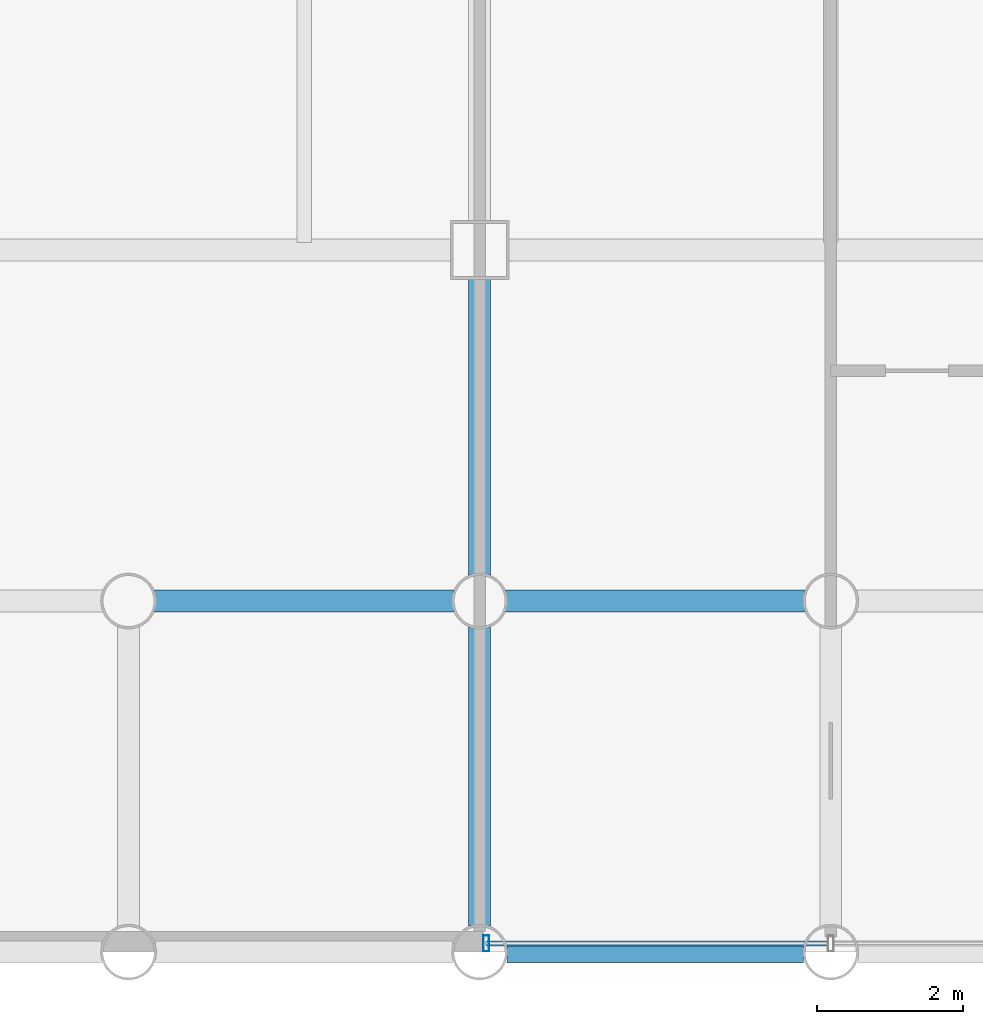
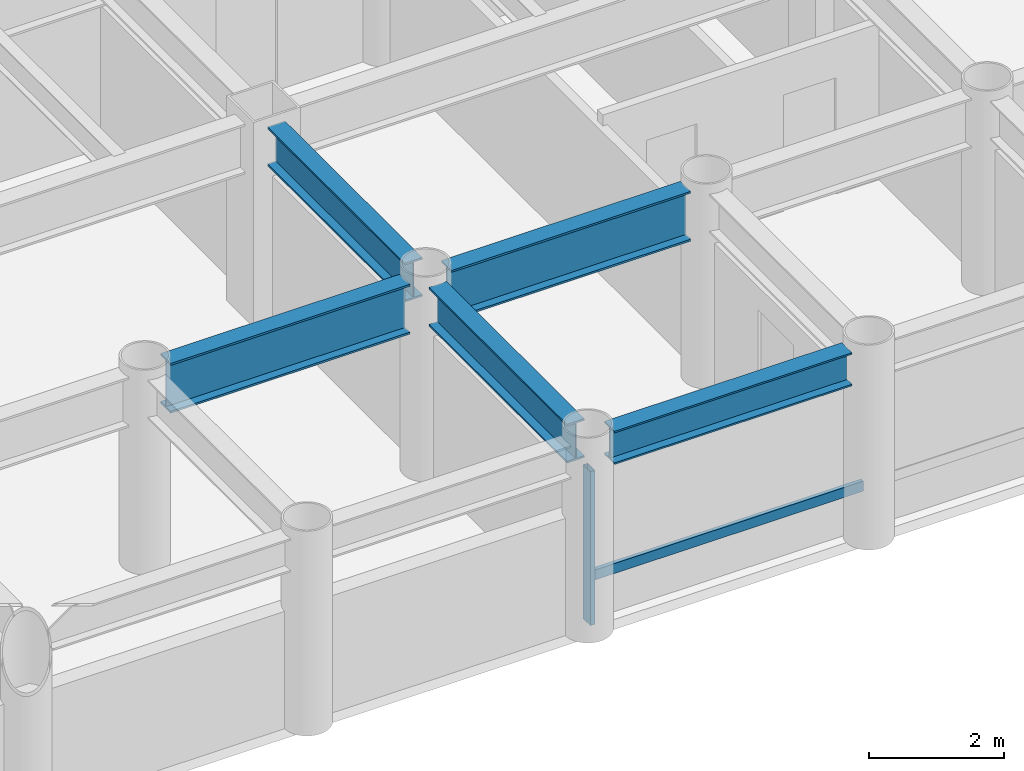
# One storey, part 2 of 21: 5 beams, 2 members, 1 element without a shape of its own.
"""IFC4 building model written with IfcOpenShell, lengths in metres."""

import ifcopenshell
import ifcopenshell.guid

model = None  # the IFC model being written
_history = None  # IfcOwnerHistory: only IFC2X3 demands one
_inside = {}  # id of a spatial element -> (the spatial element, [elements in it])
_under = {}  # id of a project, library or spatial element -> (it, [spatial elements below it])
_declared = {}  # id of a project -> (the project, [libraries it declares])
_typed = {}  # id of a type object -> (the type object, [elements of that type])
_made_of = {}  # id of a material, layer set ... -> (it, [elements and type objects made of it])


def new_model(schema):
    """Start an empty IFC model of exactly this schema.

    Asked for "IFC4X3", IfcOpenShell would pick the latest addendum, in which some entities
    have other attributes; the version numbers below select the first issue.
    IFC2X3 requires an IfcOwnerHistory on every rooted entity: one is made here for all.
    """
    global model, _history
    if schema == "IFC4X3":
        model = ifcopenshell.file(schema_version=(4, 3, 0, 0))
    else:
        model = ifcopenshell.file(schema=schema)
    _inside.clear()
    _under.clear()
    _declared.clear()
    _typed.clear()
    _made_of.clear()
    _history = None
    if model.schema == "IFC2X3":
        org = make("IfcOrganization", Name="unknown")
        user = make(
            "IfcPersonAndOrganization",
            ThePerson=make("IfcPerson", FamilyName="unknown"),
            TheOrganization=org,
        )
        app = make(
            "IfcApplication",
            ApplicationDeveloper=org,
            Version="unknown",
            ApplicationFullName="unknown",
            ApplicationIdentifier="unknown",
        )
        _history = make(
            "IfcOwnerHistory",
            OwningUser=user,
            OwningApplication=app,
            ChangeAction="ADDED",
            CreationDate=0,
        )
    return model


def make(cls, **values):
    """One entity of the class cls with the attributes given. An attribute that is None is left unset."""
    return model.create_entity(
        cls, **{name: value for name, value in values.items() if value is not None}
    )


def rooted(cls, **values):
    """An entity with a GlobalId (a new one), such as an element, a storey or a relation."""
    return make(cls, GlobalId=ifcopenshell.guid.new(), OwnerHistory=_history, **values)


def si_unit(unit_type, name, prefix=None):
    """IfcSIUnit, for example si_unit("LENGTHUNIT", "METRE", prefix="MILLI")."""
    return make("IfcSIUnit", UnitType=unit_type, Prefix=prefix, Name=name)


def assignment(units):
    """IfcUnitAssignment: the units of a project."""
    return None if units is None else make("IfcUnitAssignment", Units=units)


def point(xyz):
    """IfcCartesianPoint."""
    return None if xyz is None else make("IfcCartesianPoint", Coordinates=xyz)


def direction(xyz):
    """IfcDirection."""
    return None if xyz is None else make("IfcDirection", DirectionRatios=xyz)


def frame(location, z_axis=None, x_axis=None):
    """IfcAxis2Placement3D, a coordinate frame: its origin and axes. An axis left out is left unset."""
    return make(
        "IfcAxis2Placement3D",
        Location=point(location),
        Axis=direction(z_axis),
        RefDirection=direction(x_axis),
    )


def frame_2d(location, x_axis=None):
    """IfcAxis2Placement2D, a coordinate frame in the plane: its origin and x axis."""
    return make(
        "IfcAxis2Placement2D", Location=point(location), RefDirection=direction(x_axis)
    )


def origin():
    """The frame at (0, 0, 0) with its axes left unset."""
    return frame((0.0, 0.0, 0.0))


def origin_2d():
    """The frame at (0, 0) in the plane with its x axis left unset."""
    return frame_2d((0.0, 0.0))


def place(relative_to, where):
    """IfcLocalPlacement: puts the frame where relative to a parent placement (None: the world)."""
    return make(
        "IfcLocalPlacement", PlacementRelTo=relative_to, RelativePlacement=where
    )


def context(
    kind, dimensions, precision=None, world=None, true_north=None, identifier=None
):
    """IfcGeometricRepresentationContext, for example the 3D "Model" context."""
    return make(
        "IfcGeometricRepresentationContext",
        ContextIdentifier=identifier,
        ContextType=kind,
        CoordinateSpaceDimension=dimensions,
        Precision=precision,
        WorldCoordinateSystem=world,
        TrueNorth=true_north,
    )


def subcontext(parent, identifier, kind, view, scale=None):
    """IfcGeometricRepresentationSubContext, for example "Body" below "Model"."""
    return make(
        "IfcGeometricRepresentationSubContext",
        ContextIdentifier=identifier,
        ContextType=kind,
        ParentContext=parent,
        TargetScale=scale,
        TargetView=view,
    )


def project(units=None, contexts=None):
    """IfcProject with its units and contexts."""
    return rooted(
        "IfcProject",
        Name="project",
        RepresentationContexts=contexts,
        UnitsInContext=assignment(units),
    )


def spatial(cls, under=None, at=None, **own):
    """A site, building, storey or space (cls), placed at a placement, below another one or the project."""
    s = rooted(cls, ObjectPlacement=at, **own)
    if under is not None:
        _under.setdefault(under.id(), (under, []))[1].append(s)
    return s


def profile(cls, at=None, kind="AREA", **sizes):
    """A parametric profile (cls). Its sizes go by their IFC names, for example OverallWidth=200.0."""
    return make(cls, ProfileType=kind, Position=at, **sizes)


def hollow_rectangle(**sizes):
    """IfcRectangleHollowProfileDef."""
    return profile("IfcRectangleHollowProfileDef", **sizes)


def i_section(**sizes):
    """IfcIShapeProfileDef."""
    return profile("IfcIShapeProfileDef", **sizes)


def extrude(swept, where, along, depth):
    """IfcExtrudedAreaSolid: the profile swept, set in the frame where, extruded along a direction by depth."""
    return make(
        "IfcExtrudedAreaSolid",
        SweptArea=swept,
        Position=where,
        ExtrudedDirection=direction(along),
        Depth=depth,
    )


def shape(context_of_items, identifier, shape_type, items):
    """IfcShapeRepresentation: the items that make up one representation, for example the "Body"."""
    return make(
        "IfcShapeRepresentation",
        ContextOfItems=context_of_items,
        RepresentationIdentifier=identifier,
        RepresentationType=shape_type,
        Items=items,
    )


def material(Name=None, Category=None):
    """IfcMaterial."""
    return make("IfcMaterial", Name=Name, Category=Category)


def layer(
    of_material, thickness, ventilated=None, Name=None, Category=None, Priority=None
):
    """IfcMaterialLayer: one layer of a wall or slab, of a material (None: an air gap)."""
    return make(
        "IfcMaterialLayer",
        Material=of_material,
        LayerThickness=thickness,
        IsVentilated=ventilated,
        Name=Name,
        Category=Category,
        Priority=Priority,
    )


def layer_set(layers, Name=None):
    """IfcMaterialLayerSet."""
    return make("IfcMaterialLayerSet", MaterialLayers=layers, LayerSetName=Name)


def material_profile(
    of_material, cross_section, Name=None, Category=None, Priority=None
):
    """IfcMaterialProfile: a cross section and its material."""
    return make(
        "IfcMaterialProfile",
        Name=Name,
        Material=of_material,
        Profile=cross_section,
        Priority=Priority,
        Category=Category,
    )


def profile_set(profiles, Name=None, composite=None):
    """IfcMaterialProfileSet."""
    return make(
        "IfcMaterialProfileSet",
        Name=Name,
        MaterialProfiles=profiles,
        CompositeProfile=composite,
    )


def made_of(thing, what):
    """Note that an element or type object is made of a material, layer set ...; save() writes the relation."""
    if what is not None:
        _made_of.setdefault(what.id(), (what, []))[1].append(thing)
    return thing


def type_object(cls, material=None, **own):
    """A type object (cls), such as IfcWallType, which elements share."""
    return made_of(rooted(cls, **own), material)


def element(
    cls,
    number,
    at=None,
    inside=None,
    cuts=None,
    type_object=None,
    material=None,
    context=None,
    identifier="Body",
    shape_type=None,
    held_by="IfcProductDefinitionShape",
    body=None,
    shapes=None,
    **own,
):
    """One element of the class cls, such as IfcWall. Its Tag is "e" and its number.

    at: its placement. inside: the storey or other place that contains it. cuts: it is an
    opening in that element (IfcRelVoidsElement). A single representation is given by context,
    identifier, shape_type and body (its items); several are given by shapes. held_by: the class
    of the entity that holds the representations. save() writes the other relations.
    """
    e = rooted(cls, Tag="e%d" % number, ObjectPlacement=at, **own)
    if body is not None:
        shapes = [shape(context, identifier, shape_type, body)]
    if shapes is not None:
        e.Representation = make(held_by, Representations=shapes)
    if inside is not None:
        _inside.setdefault(inside.id(), (inside, []))[1].append(e)
    if cuts is not None:
        rooted(
            "IfcRelVoidsElement", RelatingBuildingElement=cuts, RelatedOpeningElement=e
        )
    if type_object is not None:
        _typed.setdefault(type_object.id(), (type_object, []))[1].append(e)
    return made_of(e, material)


def aggregate(whole, parts):
    """IfcRelAggregates: a whole, such as a stair, and the parts it consists of."""
    return rooted("IfcRelAggregates", RelatingObject=whole, RelatedObjects=parts)


def save(model, path):
    """Write the relations noted so far, then the file.

    IfcRelAggregates (storeys below a building ...), IfcRelContainedInSpatialStructure (elements
    in a storey), IfcRelDefinesByType, IfcRelAssociatesMaterial and IfcRelDeclares: one each for
    every whole, place, type object, material and project.
    """
    for whole, parts in _under.values():
        aggregate(whole, parts)
    for where, things in _inside.values():
        rooted(
            "IfcRelContainedInSpatialStructure",
            RelatedElements=things,
            RelatingStructure=where,
        )
    for kind, things in _typed.values():
        rooted("IfcRelDefinesByType", RelatedObjects=things, RelatingType=kind)
    for what, things in _made_of.values():
        rooted("IfcRelAssociatesMaterial", RelatedObjects=things, RelatingMaterial=what)
    for by, libraries in _declared.values():
        rooted("IfcRelDeclares", RelatingContext=by, RelatedDefinitions=libraries)
    model.write(path)


model = new_model("IFC4")

# Units and contexts
model_context = context("Model", 3, precision=1e-05, world=origin(), true_north=direction((0.0, 1.0)))
body_context = subcontext(model_context, "Body", "Model", "MODEL_VIEW")
ifc_project = project(units=[si_unit("LENGTHUNIT", "METRE"), si_unit("AREAUNIT", "SQUARE_METRE"), si_unit("VOLUMEUNIT", "CUBIC_METRE"), si_unit("PLANEANGLEUNIT", "RADIAN"), si_unit("MASSUNIT", "GRAM", prefix="KILO")], contexts=[model_context])

# Site, building, storey
site_placement = place(None, origin())
site = spatial("IfcSite", under=ifc_project, at=site_placement, CompositionType="ELEMENT")
building_placement = place(site_placement, origin())
building = spatial("IfcBuilding", under=site, at=building_placement, Name="Kallvorn Hotel Tower", CompositionType="ELEMENT")
storey_placement = place(building_placement, frame((0.0, 0.0, 41.10009765625)))
storey = spatial("IfcBuildingStorey", under=building, at=storey_placement, Name="L08", CompositionType="ELEMENT", Elevation=41.10009765625)

# Beams
ifc_material_1 = material(Name="Structural steel S355JR", Category="steel")
ifc_material_profile_1 = material_profile(ifc_material_1, i_section(OverallWidth=0.300048828125, OverallDepth=0.60009765625, WebThickness=0.015380859375, FlangeThickness=0.030029296875, at=origin_2d()), Name="HE 600 B")
ifc_profile_set_1 = profile_set([ifc_material_profile_1], Name="Structural steel S355JR")
beam_type_1 = type_object("IfcBeamType", Name="BM_HE600B", PredefinedType="SPANDREL", material=ifc_profile_set_1)
beam_1_placement = place(storey_placement, frame((-4.428955078125, -24.0, 3.219970703125), z_axis=(1.0, 0.0, 0.0), x_axis=(0.0, 1.0, 0.0)))
element("IfcBeam", 1, at=beam_1_placement, inside=storey, type_object=beam_type_1, Name="L09 Perimeter Spandrel 156", PredefinedType="SPANDREL", context=body_context, shape_type="SweptSolid", body=[
    extrude(i_section(OverallWidth=0.300048828125, OverallDepth=0.60009765625, WebThickness=0.015380859375, FlangeThickness=0.030029296875, at=origin_2d()), origin(), (0.0, 0.0, 1.0), 4.057861328125),
])
ifc_material_2 = material(Name="Structural steel S355JR", Category="steel")
ifc_material_profile_2 = material_profile(ifc_material_2, i_section(OverallWidth=0.300048828125, OverallDepth=0.699951171875, WebThickness=0.01708984375, FlangeThickness=0.031982421875, at=origin_2d()), Name="HE 700 B")
ifc_profile_set_2 = profile_set([ifc_material_profile_2], Name="Structural steel S355JR")
beam_type_2 = type_object("IfcBeamType", Name="BM_HE700B", PredefinedType="BEAM", material=ifc_profile_set_2)
beam_2_placement = place(storey_placement, frame((-4.800048828125, -23.64404296875, 3.169921875), z_axis=(0.0, 1.0, 0.0), x_axis=(-1.0, 0.0, 0.0)))
element("IfcBeam", 2, at=beam_2_placement, inside=storey, type_object=beam_type_2, Name="L09 Primary Y-Girder 106", PredefinedType="BEAM", context=body_context, shape_type="SweptSolid", body=[
    extrude(i_section(OverallWidth=0.300048828125, OverallDepth=0.699951171875, WebThickness=0.01708984375, FlangeThickness=0.031982421875, at=origin_2d()), origin(), (0.0, 0.0, 1.0), 4.088134765625),
])
beam_3_placement = place(storey_placement, frame((-4.800048828125, -18.843994140625, 3.169921875), z_axis=(0.0, 1.0, 0.0), x_axis=(-1.0, 0.0, 0.0)))
element("IfcBeam", 3, at=beam_3_placement, inside=storey, type_object=beam_type_2, Name="L09 Primary Y-Girder 107", PredefinedType="BEAM", context=body_context, shape_type="SweptSolid", body=[
    extrude(i_section(OverallWidth=0.300048828125, OverallDepth=0.699951171875, WebThickness=0.01708984375, FlangeThickness=0.031982421875, at=origin_2d()), origin(), (0.0, 0.0, 1.0), 4.069091796875),
])
ifc_material_3 = material(Name="Structural steel S355JR", Category="steel")
ifc_material_profile_3 = material_profile(ifc_material_3, i_section(OverallWidth=0.300048828125, OverallDepth=0.89990234375, WebThickness=0.0185546875, FlangeThickness=0.034912109375, at=origin_2d()), Name="HE 900 B")
ifc_profile_set_3 = profile_set([ifc_material_profile_3], Name="Structural steel S355JR")
beam_type_3 = type_object("IfcBeamType", Name="BM_HE900B", PredefinedType="BEAM", material=ifc_profile_set_3)
beam_4_placement = place(storey_placement, frame((-9.243896484375, -19.199951171875, 3.06982421875), z_axis=(1.0, 0.0, 0.0), x_axis=(0.0, 1.0, 0.0)))
element("IfcBeam", 4, at=beam_4_placement, inside=storey, type_object=beam_type_3, Name="L09 Primary X-Girder 06", PredefinedType="BEAM", context=body_context, shape_type="SweptSolid", body=[
    extrude(i_section(OverallWidth=0.300048828125, OverallDepth=0.89990234375, WebThickness=0.0185546875, FlangeThickness=0.034912109375, at=origin_2d()), origin(), (0.0, 0.0, 1.0), 4.087890625),
])
beam_5_placement = place(storey_placement, frame((-4.444091796875, -19.199951171875, 3.06982421875), z_axis=(1.0, 0.0, 0.0), x_axis=(0.0, 1.0, 0.0)))
element("IfcBeam", 5, at=beam_5_placement, inside=storey, type_object=beam_type_3, Name="L09 Primary X-Girder 07", PredefinedType="BEAM", context=body_context, shape_type="SweptSolid", body=[
    extrude(i_section(OverallWidth=0.300048828125, OverallDepth=0.89990234375, WebThickness=0.0185546875, FlangeThickness=0.034912109375, at=origin_2d()), origin(), (0.0, 0.0, 1.0), 4.088134765625),
])

# Curtain wall, members
ifc_material_4 = material(Name="Thermally broken black-anodised aluminium AA 6063-T6", Category="aluminium")
ifc_layer = layer(ifc_material_4, 0.199951171875)
ifc_layer_set = layer_set([ifc_layer], Name="CW_SYS_3_HOTEL_LOW")
curtain_wall_type = type_object("IfcCurtainWallType", Name="CW_SYS_3_HOTEL_LOW", PredefinedType="USERDEFINED", material=ifc_layer_set)
curtain_wall_placement = place(storey_placement, origin())
curtain_wall = element("IfcCurtainWall", 6, at=curtain_wall_placement, inside=storey, type_object=curtain_wall_type, Name="L08 Dark-Glass Curtain Wall CW-L08-SC", ObjectType="UNITISED CURTAIN WALL", PredefinedType="USERDEFINED")
ifc_material_5 = material(Name="Thermally broken black-anodised aluminium AA 6063-T6", Category="aluminium")
ifc_material_profile_4 = material_profile(ifc_material_5, hollow_rectangle(XDim=0.080078125, YDim=0.219970703125, WallThickness=0.0048828125, at=origin_2d()), Name="MUL 220x80")
ifc_profile_set_4 = profile_set([ifc_material_profile_4], Name="Thermally broken black-anodised aluminium AA 6063-T6")
member_type_1 = type_object("IfcMemberType", Name="CW_MULLION_220x80", PredefinedType="MULLION", material=ifc_profile_set_4)
member_1_placement = place(storey_placement, frame((-4.7099609375, -23.8798828125, 0.02001953125), z_axis=(0.0, 0.0, 1.0), x_axis=(1.0, 0.0, 0.0)))
member_1 = element("IfcMember", 7, at=member_1_placement, type_object=member_type_1, Name="CW-L08-SC Mullion 00", PredefinedType="MULLION", context=body_context, shape_type="SweptSolid", body=[
    extrude(hollow_rectangle(XDim=0.080078125, YDim=0.219970703125, WallThickness=0.0048828125, at=origin_2d()), origin(), (0.0, 0.0, 1.0), 2.77978515625),
])
ifc_material_6 = material(Name="Thermally broken black-anodised aluminium AA 6063-T6", Category="aluminium")
ifc_material_profile_5 = material_profile(ifc_material_6, hollow_rectangle(XDim=0.070068359375, YDim=0.179931640625, WallThickness=0.00390625, at=origin_2d()), Name="TRN 180x70")
ifc_profile_set_5 = profile_set([ifc_material_profile_5], Name="Thermally broken black-anodised aluminium AA 6063-T6")
member_type_2 = type_object("IfcMemberType", Name="CW_TRANSOM_180x70", PredefinedType="USERDEFINED", material=ifc_profile_set_5)
member_2_placement = place(storey_placement, frame((-4.7099609375, -23.8798828125, 0.849853515625), z_axis=(1.0, 0.0, 0.0), x_axis=(0.0, 1.0, 0.0)))
member_2 = element("IfcMember", 8, at=member_2_placement, type_object=member_type_2, Name="CW-L08-SC Transom 00M", ObjectType="TRANSOM", PredefinedType="USERDEFINED", context=body_context, shape_type="SweptSolid", body=[
    extrude(hollow_rectangle(XDim=0.070068359375, YDim=0.179931640625, WallThickness=0.00390625, at=origin_2d()), origin(), (0.0, 0.0, 1.0), 4.669921875),
])
aggregate(curtain_wall, [member_1, member_2])

save(model, "model.ifc")
